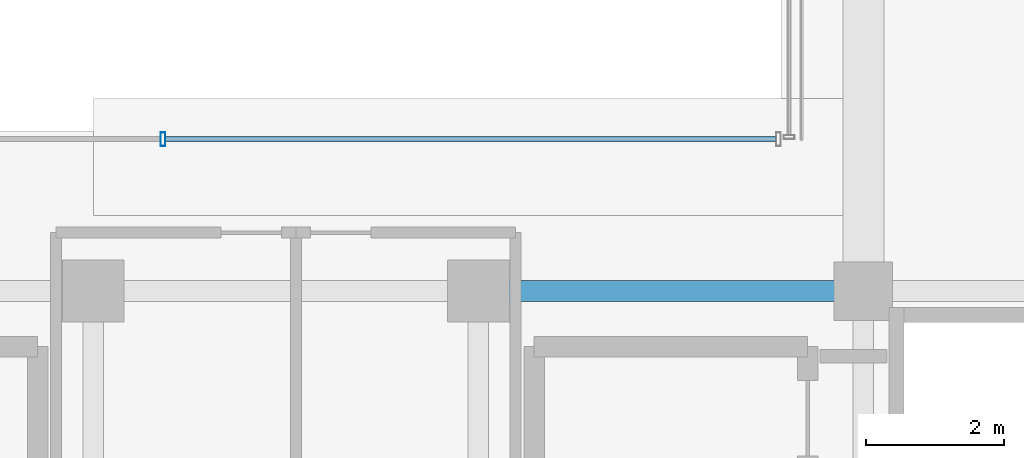
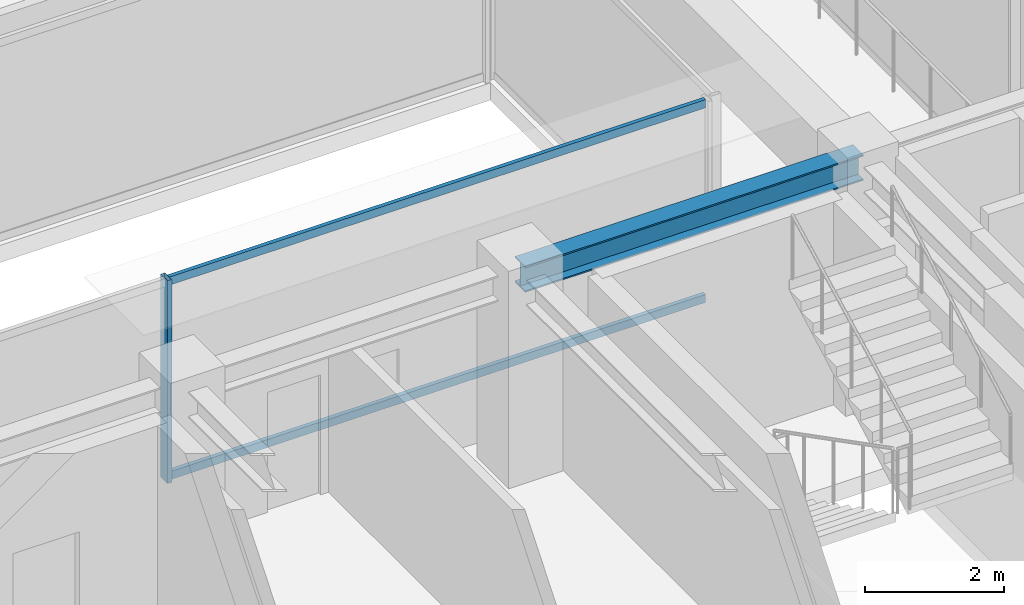
# One storey, part 13 of 40: 3 members, 1 beam, 1 element without a shape of its own.
"""IFC4 building model written with IfcOpenShell, lengths in metres."""

from ifc_helpers import new_model, si_unit, direction, frame, origin, origin_2d, place, context, subcontext, project, spatial, hollow_rectangle, i_section, extrude, source, transform, mapped, material, material_profile, profile_set, type_object, element, aggregate, save


model = new_model("IFC4")

# Units and contexts
model_context = context("Model", 3, precision=1e-05, world=origin(), true_north=direction((0.0, 1.0)))
body_context = subcontext(model_context, "Body", "Model", "MODEL_VIEW")
ifc_project = project(units=[si_unit("LENGTHUNIT", "METRE"), si_unit("AREAUNIT", "SQUARE_METRE"), si_unit("VOLUMEUNIT", "CUBIC_METRE"), si_unit("PLANEANGLEUNIT", "RADIAN"), si_unit("MASSUNIT", "GRAM", prefix="KILO")], contexts=[model_context])

# Site, building, storey
site_placement = place(None, origin())
site = spatial("IfcSite", under=ifc_project, at=site_placement, CompositionType="ELEMENT")
building_placement = place(site_placement, origin())
building = spatial("IfcBuilding", under=site, at=building_placement, Name="Nahalor Promenade Grand Hotel", CompositionType="ELEMENT")
storey_placement = place(building_placement, frame((0.0, 0.0, 288.800048828125)))
storey = spatial("IfcBuildingStorey", under=building, at=storey_placement, Name="L74", CompositionType="ELEMENT", Elevation=288.800048828125)

# Beam
ifc_material_1 = material(Name="Steel S355JR", Category="steel")
ifc_material_profile_1 = material_profile(ifc_material_1, i_section(OverallWidth=0.3, OverallDepth=0.45, WebThickness=0.014, FlangeThickness=0.026, at=origin_2d()), Name="HEB 450")
ifc_profile_set_1 = profile_set([ifc_material_profile_1], Name="Steel S355JR")
beam_type = type_object("IfcBeamType", Name="Beam-Girder-HEB450", PredefinedType="BEAM", material=ifc_profile_set_1)
shared_shape_1 = source(origin(), body_context, "Body", "SweptSolid", [
    extrude(i_section(OverallWidth=0.3, OverallDepth=0.45, WebThickness=0.014, FlangeThickness=0.026, at=origin_2d()), origin(), (0.0, 0.0, 1.0), 5.599853515625),
])
beam_placement = place(storey_placement, frame((2.800048828125, -5.39990234375, 3.324951171875), z_axis=(1.0, 0.0, 0.0), x_axis=(0.0, 1.0, 0.0)))
element("IfcBeam", 1, at=beam_placement, inside=storey, type_object=beam_type, Name="BM-L74-GX-1-4", PredefinedType="BEAM", context=body_context, shape_type="MappedRepresentation", body=[
    mapped(shared_shape_1, transform((0.0, 0.0, 0.0), scale=1.0)),
])

# Curtain wall, members
ifc_material_2 = material(Name="Anodised Bronze Aluminium EN AW-6063 T6", Category="aluminium")
curtain_wall_type = type_object("IfcCurtainWallType", Name="CW3 Elliptical-Void Collar Unitised Curtain Wall", PredefinedType="USERDEFINED", material=ifc_material_2)
curtain_wall_placement = place(storey_placement, origin())
curtain_wall = element("IfcCurtainWall", 2, at=curtain_wall_placement, inside=storey, type_object=curtain_wall_type, Name="L74 Curtain Wall CW-L74-VOID-WS1", ObjectType="UNITISED_CURTAIN_WALL", PredefinedType="USERDEFINED")
ifc_material_profile_2 = material_profile(ifc_material_2, hollow_rectangle(XDim=0.07, YDim=0.14, WallThickness=0.004, at=origin_2d()), Name="CWT 70x140x4")
ifc_profile_set_2 = profile_set([ifc_material_profile_2], Name="Anodised Bronze Aluminium EN AW-6063 T6")
member_type_1 = type_object("IfcMemberType", Name="CWT3 Void Collar Transom 70x140", PredefinedType="USERDEFINED", material=ifc_profile_set_2)
shared_shape_2 = source(origin(), body_context, "Body", "SweptSolid", [
    extrude(hollow_rectangle(XDim=0.07, YDim=0.14, WallThickness=0.004, at=origin_2d()), origin(), (0.0, 0.0, 1.0), 8.881591796875),
])
member_1_placement = place(storey_placement, frame((-1.751708984375, -3.19091796875, 0.070068359375), z_axis=(1.0, 0.0, 0.0), x_axis=(0.0, 1.0, 0.0)))
member_1 = element("IfcMember", 3, at=member_1_placement, type_object=member_type_1, Name="CW-L74-VOID-WS1 Transom 2-0", ObjectType="TRANSOM", PredefinedType="USERDEFINED", context=body_context, shape_type="MappedRepresentation", body=[
    mapped(shared_shape_2, transform((0.0, 0.0, 0.0), scale=1.0)),
])
member_2_placement = place(storey_placement, frame((-1.751708984375, -3.19091796875, 3.47998046875), z_axis=(1.0, 0.0, 0.0), x_axis=(0.0, 1.0, 0.0)))
member_2 = element("IfcMember", 4, at=member_2_placement, type_object=member_type_1, Name="CW-L74-VOID-WS1 Transom 2-1", ObjectType="TRANSOM", PredefinedType="USERDEFINED", context=body_context, shape_type="MappedRepresentation", body=[
    mapped(shared_shape_2, transform((0.0, 0.0, 0.0), scale=1.0)),
])
ifc_material_profile_3 = material_profile(ifc_material_2, hollow_rectangle(XDim=0.07, YDim=0.2, WallThickness=0.005, at=origin_2d()), Name="CWM 70x200x5")
ifc_profile_set_3 = profile_set([ifc_material_profile_3], Name="Anodised Bronze Aluminium EN AW-6063 T6")
member_type_2 = type_object("IfcMemberType", Name="CWM3 Void Collar Mullion 70x200", PredefinedType="MULLION", material=ifc_profile_set_3)
shared_shape_3 = source(origin(), body_context, "Body", "SweptSolid", [
    extrude(hollow_rectangle(XDim=0.07, YDim=0.2, WallThickness=0.005, at=origin_2d()), origin(), (0.0, 0.0, 1.0), 3.550048828125),
])
member_3_placement = place(storey_placement, frame((-1.78662109375, -3.19091796875, 0.0), z_axis=(0.0, 0.0, 1.0), x_axis=(1.0, 0.0, 0.0)))
member_3 = element("IfcMember", 5, at=member_3_placement, type_object=member_type_2, Name="CW-L74-VOID-WS1 Mullion 2", PredefinedType="MULLION", context=body_context, shape_type="MappedRepresentation", body=[
    mapped(shared_shape_3, transform((0.0, 0.0, 0.0), scale=1.0)),
])
aggregate(curtain_wall, [member_3, member_1, member_2])

save(model, "model.ifc")
